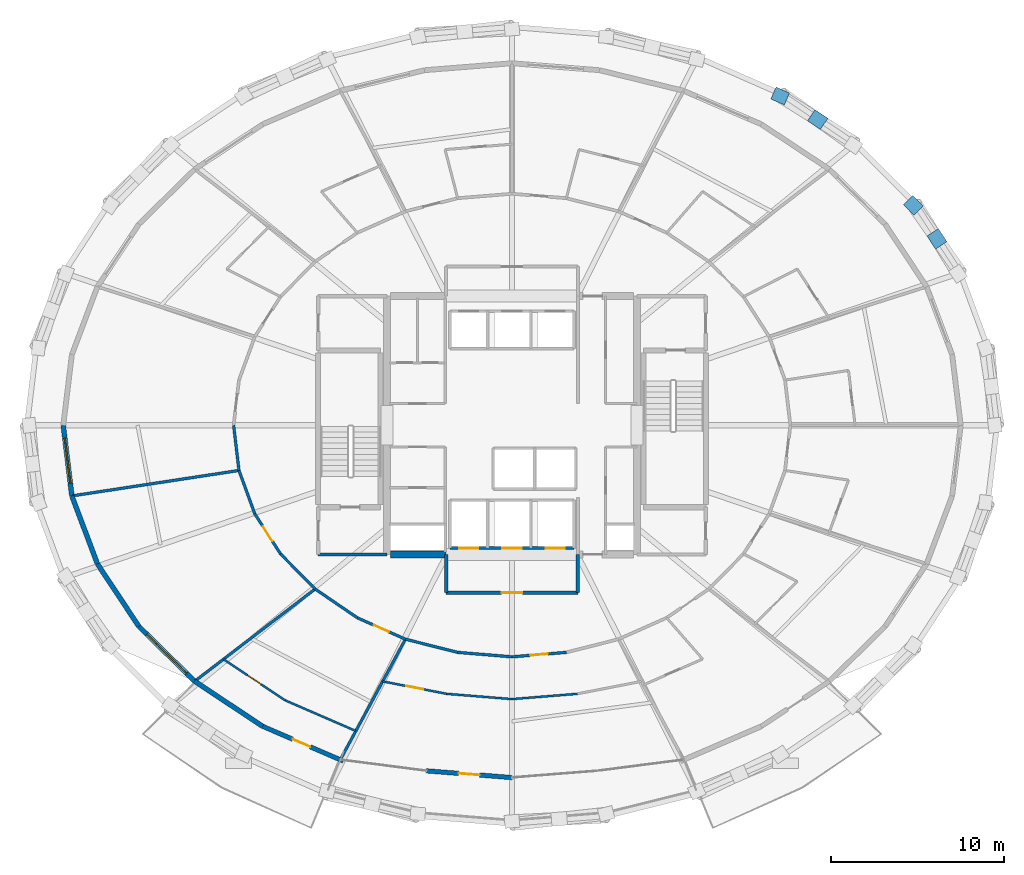
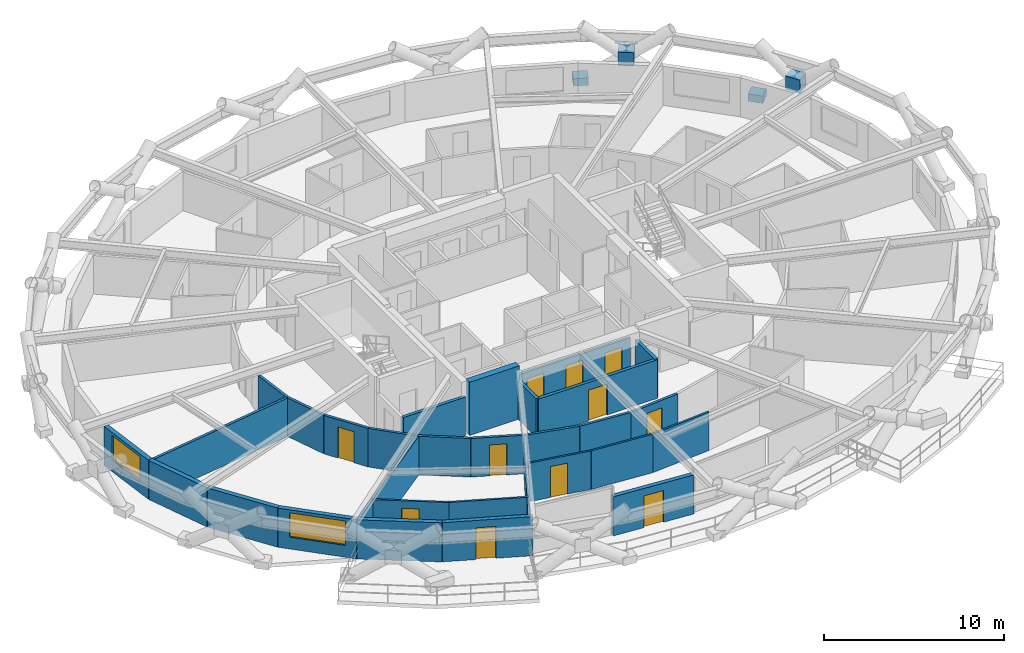
# One storey, part 7 of 13: 30 walls, 11 doors, 4 plates, 2 windows, 13 openings.
"""IFC4 building model written with IfcOpenShell, lengths in metres."""

from ifc_helpers import new_model, si_unit, direction, frame, frame_2d, origin, origin_2d, place, context, subcontext, project, spatial, rectangle, extrude, material, layer, layer_set, type_object, element, fill, save


model = new_model("IFC4")

# Units and contexts
model_context = context("Model", 3, precision=1e-05, world=origin(), true_north=direction((0.0, 1.0)))
body_context = subcontext(model_context, "Body", "Model", "MODEL_VIEW")
ifc_project = project(units=[si_unit("LENGTHUNIT", "METRE"), si_unit("AREAUNIT", "SQUARE_METRE"), si_unit("VOLUMEUNIT", "CUBIC_METRE"), si_unit("PLANEANGLEUNIT", "RADIAN"), si_unit("MASSUNIT", "GRAM", prefix="KILO")], contexts=[model_context])

# Site, building, storey
site_placement = place(None, origin())
site = spatial("IfcSite", under=ifc_project, at=site_placement, CompositionType="ELEMENT")
building_placement = place(site_placement, origin())
building = spatial("IfcBuilding", under=site, at=building_placement, Name="Veldorina Hangang Commons", CompositionType="ELEMENT")
storey_placement = place(building_placement, frame((0.0, 0.0, 37.60009765625)))
storey = spatial("IfcBuildingStorey", under=building, at=storey_placement, Name="L08", CompositionType="ELEMENT", Elevation=37.60009765625)

# Plates
ifc_material_1 = material(Name="Steel SM460-TMC", Category="steel")
ifc_layer_1 = layer(ifc_material_1, 0.035888671875)
ifc_layer_set_1 = layer_set([ifc_layer_1], Name="Steel SM460-TMC")
plate_type = type_object("IfcPlateType", Name="PL-STAR-36", PredefinedType="USERDEFINED", material=ifc_layer_set_1)
plate_1_placement = place(storey_placement, frame((56.500244140625, 34.75, 1.343994140625), z_axis=(0.0, 0.0, 1.0), x_axis=(-0.545897251417, 0.837852129493, 0.0)))
element("IfcPlate", 1, at=plate_1_placement, inside=storey, type_object=plate_type, Name="L08 diagrid X-crossing star-node gusset plate 02", ObjectType="GUSSET PLATE", PredefinedType="USERDEFINED", context=body_context, shape_type="SweptSolid", body=[
    extrude(rectangle(XDim=0.89990234375, YDim=0.780029296875, at=origin_2d()), origin(), (0.0, 0.0, 1.0), 0.89990234375),
])
plate_2_placement = place(storey_placement, frame((55.14306640625, 36.685791015625, -0.090087890625), z_axis=(0.0, 0.0, 1.0), x_axis=(-0.707254861775, 0.706958669581, 0.0)))
element("IfcPlate", 2, at=plate_2_placement, inside=storey, type_object=plate_type, Name="L08 diagrid star-node gusset plate 03", ObjectType="GUSSET PLATE", PredefinedType="USERDEFINED", context=body_context, shape_type="SweptSolid", body=[
    extrude(rectangle(XDim=0.85009765625, YDim=0.75, at=origin_2d()), origin(), (0.0, 0.0, 1.0), 0.5),
])
plate_3_placement = place(storey_placement, frame((49.623779296875, 41.62841796875, 1.34423828125), z_axis=(0.0, 0.0, 1.0), x_axis=(-0.829525244685, 0.558469218875, 0.0)))
element("IfcPlate", 3, at=plate_3_placement, inside=storey, type_object=plate_type, Name="L08 diagrid X-crossing star-node gusset plate 04", ObjectType="GUSSET PLATE", PredefinedType="USERDEFINED", context=body_context, shape_type="SweptSolid", body=[
    extrude(rectangle(XDim=0.89990234375, YDim=0.780029296875, at=origin_2d()), origin(), (0.0, 0.0, 1.0), 0.89990234375),
])
plate_4_placement = place(storey_placement, frame((47.463623046875, 42.985595703125, -0.090087890625), z_axis=(0.0, 0.0, 1.0), x_axis=(-0.915823871738, 0.401580173757, 0.0)))
element("IfcPlate", 4, at=plate_4_placement, inside=storey, type_object=plate_type, Name="L08 diagrid star-node gusset plate 05", ObjectType="GUSSET PLATE", PredefinedType="USERDEFINED", context=body_context, shape_type="SweptSolid", body=[
    extrude(rectangle(XDim=0.85009765625, YDim=0.75, at=origin_2d()), origin(), (0.0, 0.0, 1.0), 0.5),
])

# Wall
ifc_material_2 = material(Name="Concrete C70/85", Category="concrete")
ifc_layer_2 = layer(ifc_material_2, 0.39990234375)
ifc_layer_set_2 = layer_set([ifc_layer_2], Name="Concrete C70/85")
wall_type_1 = type_object("IfcWallType", Name="CW-RC400-C70", PredefinedType="SHEAR", material=ifc_layer_set_2)
wall_1_placement = place(storey_placement, frame((25.0, 16.550048828125, 0.0), z_axis=(0.0, 0.0, 1.0), x_axis=(1.0, 0.0, 0.0)))
element("IfcWall", 5, at=wall_1_placement, inside=storey, type_object=wall_type_1, Name="L08 south-west core shear wall", PredefinedType="SHEAR", context=body_context, shape_type="SweptSolid", body=[
    extrude(rectangle(XDim=3.199951171875, YDim=0.39990234375, at=frame_2d((1.60009765625, 0.0))), origin(), (0.0, 0.0, 1.0), 3.599853515625),
])

# Wall, opening, door
ifc_material_3 = material(Name="Stone Roman Travertine", Category="masonry")
ifc_layer_3 = layer(ifc_material_3, 0.260009765625)
ifc_layer_set_3 = layer_set([ifc_layer_3], Name="Stone Roman Travertine")
wall_type_2 = type_object("IfcWallType", Name="EW-LOGGIA-260", PredefinedType="STANDARD", material=ifc_layer_set_3)
wall_2_placement = place(storey_placement, frame((17.625244140625, 6.64404296875, 0.0), z_axis=(0.0, 0.0, 1.0), x_axis=(0.91826758141, -0.395960413339, 0.0)))
wall_2 = element("IfcWall", 6, at=wall_2_placement, inside=storey, type_object=wall_type_2, Name="L08 sky-garden loggia portal wall 21", PredefinedType="STANDARD", context=body_context, shape_type="SweptSolid", body=[
    extrude(rectangle(XDim=5.064453125, YDim=0.260009765625, at=frame_2d((2.5322265625, 0.0))), origin(), (0.0, 0.0, 1.0), 2.64990234375),
])
opening_1_placement = place(wall_2_placement, frame((1.8857421875, 0.0, 0.0)))
opening_1 = element("IfcOpeningElement", 7, at=opening_1_placement, cuts=wall_2, Name="Opening BD-1100", PredefinedType="OPENING", context=body_context, shape_type="SweptSolid", body=[
    extrude(rectangle(XDim=1.10009765625, YDim=2.14990234375, at=frame_2d((0.550048828125, 1.074951171875))), frame((0.0, 0.14013671875, 0.0), z_axis=(0.0, -1.0, 0.0), x_axis=(1.0, 0.0, 0.0)), (0.0, 0.0, 1.0), 0.280029296875),
])
ifc_material_4 = material(Name="Glass Thermal Aluminium Frame", Category="aluminium")
door_type_1 = type_object("IfcDoorType", Name="DR-EXT-BAL1100", OperationType="SINGLE_SWING_RIGHT", PredefinedType="DOOR", material=ifc_material_4)
door_1_placement = place(opening_1_placement, origin())
door_1 = element("IfcDoor", 8, at=door_1_placement, inside=storey, type_object=door_type_1, Name="L08 tree balcony glazed exterior door 21", OperationType="SINGLE_SWING_RIGHT", OverallHeight=2.14990234375, OverallWidth=1.10009765625, PredefinedType="DOOR", context=body_context, shape_type="SweptSolid", body=[
    extrude(rectangle(XDim=1.10009765625, YDim=2.14990234375, at=frame_2d((0.550048828125, 1.074951171875))), frame((0.0, 0.02490234375, 0.0), z_axis=(0.0, -1.0, 0.0), x_axis=(1.0, 0.0, 0.0)), (0.0, 0.0, 1.0), 0.050048828125),
])
fill(opening_1, door_1)

wall_3_placement = place(storey_placement, frame((27.0615234375, 4.076416015625, 0.0), z_axis=(0.0, 0.0, 1.0), x_axis=(0.996894077158, -0.078754040701, 0.0)))
wall_3 = element("IfcWall", 9, at=wall_3_placement, inside=storey, type_object=wall_type_2, Name="L08 sky-garden loggia portal wall 23", PredefinedType="STANDARD", context=body_context, shape_type="SweptSolid", body=[
    extrude(rectangle(XDim=4.953857421875, YDim=0.260009765625, at=frame_2d((2.47705078125, 0.0))), origin(), (0.0, 0.0, 1.0), 2.64990234375),
])
opening_2_placement = place(wall_3_placement, frame((1.876953125, 0.0, 0.0)))
opening_2 = element("IfcOpeningElement", 10, at=opening_2_placement, cuts=wall_3, Name="Opening BD-1200", PredefinedType="OPENING", context=body_context, shape_type="SweptSolid", body=[
    extrude(rectangle(XDim=1.199951171875, YDim=2.14990234375, at=frame_2d((0.60009765625, 1.074951171875))), frame((0.0, 0.14013671875, 0.0), z_axis=(0.0, -1.0, 0.0), x_axis=(1.0, 0.0, 0.0)), (0.0, 0.0, 1.0), 0.280029296875),
])
door_type_2 = type_object("IfcDoorType", Name="DR-EXT-LOG1200", OperationType="SINGLE_SWING_LEFT", PredefinedType="DOOR", material=ifc_material_4)
door_2_placement = place(opening_2_placement, origin())
door_2 = element("IfcDoor", 11, at=door_2_placement, inside=storey, type_object=door_type_2, Name="L08 loggia glazed exterior door 23", OperationType="SINGLE_SWING_RIGHT", OverallHeight=2.14990234375, OverallWidth=1.199951171875, PredefinedType="DOOR", context=body_context, shape_type="SweptSolid", body=[
    extrude(rectangle(XDim=1.199951171875, YDim=2.14990234375, at=frame_2d((0.60009765625, 1.074951171875))), frame((0.0, 0.02490234375, 0.0), z_axis=(0.0, -1.0, 0.0), x_axis=(1.0, 0.0, 0.0)), (0.0, 0.0, 1.0), 0.050048828125),
])
fill(opening_2, door_2)

# Wall, opening, window
ifc_layer_4 = layer(ifc_material_3, 0.280029296875)
ifc_layer_set_4 = layer_set([ifc_layer_4], Name="Stone Roman Travertine")
wall_type_3 = type_object("IfcWallType", Name="EW-TRAV-280", PredefinedType="STANDARD", material=ifc_layer_set_4)
wall_4_placement = place(storey_placement, frame((6.126220703125, 24.0, 0.0), z_axis=(0.0, 0.0, 1.0), x_axis=(0.121163069923, -0.99263261607, 0.0)))
wall_4 = element("IfcWall", 12, at=wall_4_placement, inside=storey, type_object=wall_type_3, Name="L08 travertine facade wall 16", PredefinedType="STANDARD", context=body_context, shape_type="SweptSolid", body=[
    extrude(rectangle(XDim=4.1025390625, YDim=0.280029296875, at=frame_2d((2.05126953125, 0.0))), origin(), (0.0, 0.0, 1.0), 2.64990234375),
])
opening_3_placement = place(wall_4_placement, frame((0.751220703125, 0.0, 0.800048828125)))
opening_3 = element("IfcOpeningElement", 13, at=opening_3_placement, cuts=wall_4, Name="Opening W-02", PredefinedType="OPENING", context=body_context, shape_type="SweptSolid", body=[
    extrude(rectangle(XDim=2.60009765625, YDim=1.64990234375, at=frame_2d((1.300048828125, 0.824951171875))), frame((0.0, 0.14990234375, 0.0), z_axis=(0.0, -1.0, 0.0), x_axis=(1.0, 0.0, 0.0)), (0.0, 0.0, 1.0), 0.300048828125),
])
ifc_material_5 = material(Name="Glass Low-E Triple IGU", Category="glass")
window_type_1 = type_object("IfcWindowType", Name="WIN-TWR-2600", PartitioningType="SINGLE_PANEL", PredefinedType="WINDOW", material=ifc_material_5)
window_1_placement = place(opening_3_placement, origin())
window_1 = element("IfcWindow", 14, at=window_1_placement, inside=storey, type_object=window_type_1, Name="L08 facade window 16", OverallHeight=1.64990234375, OverallWidth=2.60009765625, PartitioningType="SINGLE_PANEL", PredefinedType="WINDOW", context=body_context, shape_type="SweptSolid", body=[
    extrude(rectangle(XDim=2.60009765625, YDim=1.64990234375, at=frame_2d((1.300048828125, 0.824951171875))), frame((0.0, 0.030029296875, 0.0), z_axis=(0.0, -1.0, 0.0), x_axis=(1.0, 0.0, 0.0)), (0.0, 0.0, 1.0), 0.06005859375),
])
fill(opening_3, window_1)

# Walls
wall_5_placement = place(storey_placement, frame((6.623291015625, 19.927734375, 0.0), z_axis=(0.0, 0.0, 1.0), x_axis=(0.351961107614, -0.936014625274, 0.0)))
element("IfcWall", 15, at=wall_5_placement, inside=storey, type_object=wall_type_3, Name="L08 travertine facade wall 17", PredefinedType="STANDARD", context=body_context, shape_type="SweptSolid", body=[
    extrude(rectangle(XDim=4.183349609375, YDim=0.280029296875, at=frame_2d((2.091796875, 0.0))), origin(), (0.0, 0.0, 1.0), 2.64990234375),
])
wall_6_placement = place(storey_placement, frame((8.095703125, 16.011962890625, 0.0), z_axis=(0.0, 0.0, 1.0), x_axis=(0.552329372668, -0.833625973737, 0.0)))
element("IfcWall", 16, at=wall_6_placement, inside=storey, type_object=wall_type_3, Name="L08 travertine facade wall 18", PredefinedType="STANDARD", context=body_context, shape_type="SweptSolid", body=[
    extrude(rectangle(XDim=4.3291015625, YDim=0.280029296875, at=frame_2d((2.16455078125, 0.0))), origin(), (0.0, 0.0, 1.0), 2.64990234375),
])

# Wall, opening, window
wall_7_placement = place(storey_placement, frame((10.48681640625, 12.403076171875, 0.0), z_axis=(0.0, 0.0, 1.0), x_axis=(0.713140886871, -0.701020738262, 0.0)))
wall_7 = element("IfcWall", 17, at=wall_7_placement, inside=storey, type_object=wall_type_3, Name="L08 travertine facade wall 19", PredefinedType="STANDARD", context=body_context, shape_type="SweptSolid", body=[
    extrude(rectangle(XDim=4.51220703125, YDim=0.280029296875, at=frame_2d((2.256103515625, 0.0))), origin(), (0.0, 0.0, 1.0), 2.64990234375),
])
opening_4_placement = place(wall_7_placement, frame((0.656005859375, 0.0, 0.800048828125)))
opening_4 = element("IfcOpeningElement", 18, at=opening_4_placement, cuts=wall_7, Name="Opening W-01", PredefinedType="OPENING", context=body_context, shape_type="SweptSolid", body=[
    extrude(rectangle(XDim=3.199951171875, YDim=1.64990234375, at=frame_2d((1.60009765625, 0.824951171875))), frame((0.0, 0.14990234375, 0.0), z_axis=(0.0, -1.0, 0.0), x_axis=(1.0, 0.0, 0.0)), (0.0, 0.0, 1.0), 0.300048828125),
])
window_type_2 = type_object("IfcWindowType", Name="WIN-TWR-3200", PartitioningType="SINGLE_PANEL", PredefinedType="WINDOW", material=ifc_material_5)
window_2_placement = place(opening_4_placement, origin())
window_2 = element("IfcWindow", 19, at=window_2_placement, inside=storey, type_object=window_type_2, Name="L08 facade window 19", OverallHeight=1.64990234375, OverallWidth=3.199951171875, PartitioningType="SINGLE_PANEL", PredefinedType="WINDOW", context=body_context, shape_type="SweptSolid", body=[
    extrude(rectangle(XDim=3.199951171875, YDim=1.64990234375, at=frame_2d((1.60009765625, 0.824951171875))), frame((0.0, 0.030029296875, 0.0), z_axis=(0.0, -1.0, 0.0), x_axis=(1.0, 0.0, 0.0)), (0.0, 0.0, 1.0), 0.06005859375),
])
fill(opening_4, window_2)

# Wall
wall_8_placement = place(storey_placement, frame((13.70458984375, 9.239990234375, 0.0), z_axis=(0.0, 0.0, 1.0), x_axis=(0.833795486972, -0.552073442492, 0.0)))
element("IfcWall", 20, at=wall_8_placement, inside=storey, type_object=wall_type_3, Name="L08 travertine facade wall 20", PredefinedType="STANDARD", context=body_context, shape_type="SweptSolid", body=[
    extrude(rectangle(XDim=4.7021484375, YDim=0.280029296875, at=frame_2d((2.35107421875, 0.0))), origin(), (0.0, 0.0, 1.0), 2.64990234375),
])

# Wall, openings, doors
ifc_material_6 = material(Name="Gypsum Fire-Rated Twin Stud Wall", Category="gypsum")
ifc_layer_5 = layer(ifc_material_6, 0.159912109375)
ifc_layer_set_5 = layer_set([ifc_layer_5], Name="Gypsum Fire-Rated Twin Stud Wall")
wall_type_4 = type_object("IfcWallType", Name="WL-FIRE-160", PredefinedType="SOLIDWALL", material=ifc_layer_set_5)
wall_9_placement = place(storey_placement, frame((28.419921875, 16.919921875, 0.0), z_axis=(0.0, 0.0, 1.0), x_axis=(1.0, 0.0, 0.0)))
wall_9 = element("IfcWall", 21, at=wall_9_placement, inside=storey, type_object=wall_type_4, Name="L08 Emergency front shaft wall 026", PredefinedType="SOLIDWALL", context=body_context, shape_type="SweptSolid", body=[
    extrude(rectangle(XDim=7.16015625, YDim=0.159912109375, at=frame_2d((3.580078125, 0.0))), origin(), (0.0, 0.0, 1.0), 2.60986328125),
])
opening_5_placement = place(wall_9_placement, frame((0.530029296875, 0.0, 0.0)))
opening_5 = element("IfcOpeningElement", 22, at=opening_5_placement, cuts=wall_9, Name="Opening LD-03", PredefinedType="OPENING", context=body_context, shape_type="SweptSolid", body=[
    extrude(rectangle(XDim=1.10009765625, YDim=2.14990234375, at=frame_2d((0.550048828125, 1.074951171875))), frame((0.0, 0.08984375, 0.0), z_axis=(0.0, -1.0, 0.0), x_axis=(1.0, 0.0, 0.0)), (0.0, 0.0, 1.0), 0.179931640625),
])
opening_6_placement = place(wall_9_placement, frame((3.030029296875, 0.0, 0.0)))
opening_6 = element("IfcOpeningElement", 23, at=opening_6_placement, cuts=wall_9, Name="Opening LD-03", PredefinedType="OPENING", context=body_context, shape_type="SweptSolid", body=[
    extrude(rectangle(XDim=1.10009765625, YDim=2.14990234375, at=frame_2d((0.550048828125, 1.074951171875))), frame((0.0, 0.08984375, 0.0), z_axis=(0.0, -1.0, 0.0), x_axis=(1.0, 0.0, 0.0)), (0.0, 0.0, 1.0), 0.179931640625),
])
opening_7_placement = place(wall_9_placement, frame((5.530029296875, 0.0, 0.0)))
opening_7 = element("IfcOpeningElement", 24, at=opening_7_placement, cuts=wall_9, Name="Opening LD-03", PredefinedType="OPENING", context=body_context, shape_type="SweptSolid", body=[
    extrude(rectangle(XDim=1.10009765625, YDim=2.14990234375, at=frame_2d((0.550048828125, 1.074951171875))), frame((0.0, 0.08984375, 0.0), z_axis=(0.0, -1.0, 0.0), x_axis=(1.0, 0.0, 0.0)), (0.0, 0.0, 1.0), 0.179931640625),
])
ifc_material_7 = material(Name="Stainless Steel Firefighting Lift Door", Category="steel")
door_type_3 = type_object("IfcDoorType", Name="DR-LIFT-FF1100", OperationType="SLIDING_TO_RIGHT", PredefinedType="DOOR", material=ifc_material_7)
door_3_placement = place(opening_5_placement, origin())
door_3 = element("IfcDoor", 25, at=door_3_placement, inside=storey, type_object=door_type_3, Name="L08 Emergency lift FFL-1 landing door 009", OperationType="SLIDING_TO_RIGHT", OverallHeight=2.14990234375, OverallWidth=1.10009765625, PredefinedType="DOOR", context=body_context, shape_type="SweptSolid", body=[
    extrude(rectangle(XDim=1.10009765625, YDim=2.14990234375, at=frame_2d((0.550048828125, 1.074951171875))), frame((0.0, 0.02490234375, 0.0), z_axis=(0.0, -1.0, 0.0), x_axis=(1.0, 0.0, 0.0)), (0.0, 0.0, 1.0), 0.050048828125),
])
fill(opening_5, door_3)
door_4_placement = place(opening_6_placement, origin())
door_4 = element("IfcDoor", 26, at=door_4_placement, inside=storey, type_object=door_type_3, Name="L08 Emergency lift FFL-2 landing door 010", OperationType="SLIDING_TO_RIGHT", OverallHeight=2.14990234375, OverallWidth=1.10009765625, PredefinedType="DOOR", context=body_context, shape_type="SweptSolid", body=[
    extrude(rectangle(XDim=1.10009765625, YDim=2.14990234375, at=frame_2d((0.550048828125, 1.074951171875))), frame((0.0, 0.02490234375, 0.0), z_axis=(0.0, -1.0, 0.0), x_axis=(1.0, 0.0, 0.0)), (0.0, 0.0, 1.0), 0.050048828125),
])
fill(opening_6, door_4)
door_5_placement = place(opening_7_placement, origin())
door_5 = element("IfcDoor", 27, at=door_5_placement, inside=storey, type_object=door_type_3, Name="L08 Emergency lift EVL-1 landing door 011", OperationType="SLIDING_TO_RIGHT", OverallHeight=2.14990234375, OverallWidth=1.10009765625, PredefinedType="DOOR", context=body_context, shape_type="SweptSolid", body=[
    extrude(rectangle(XDim=1.10009765625, YDim=2.14990234375, at=frame_2d((0.550048828125, 1.074951171875))), frame((0.0, 0.02490234375, 0.0), z_axis=(0.0, -1.0, 0.0), x_axis=(1.0, 0.0, 0.0)), (0.0, 0.0, 1.0), 0.050048828125),
])
fill(opening_7, door_5)

# Walls
wall_10_placement = place(storey_placement, frame((15.949951171875, 24.0, 0.0), z_axis=(0.0, 0.0, 1.0), x_axis=(0.117570353762, -0.993064555765, 0.0)))
element("IfcWall", 28, at=wall_10_placement, inside=storey, type_object=wall_type_4, Name="L08 Corridor outer wall 16 064", PredefinedType="SOLIDWALL", context=body_context, shape_type="SweptSolid", body=[
    extrude(rectangle(XDim=2.622802734375, YDim=0.159912109375, at=frame_2d((1.3115234375, 0.0))), origin(), (0.0, 0.0, 1.0), 2.60986328125),
])
wall_11_placement = place(storey_placement, frame((16.25830078125, 21.3955078125, 0.0), z_axis=(0.0, 0.0, 1.0), x_axis=(0.342617982381, -0.939474809747, 0.0)))
element("IfcWall", 29, at=wall_11_placement, inside=storey, type_object=wall_type_4, Name="L08 Corridor outer wall 17 065", PredefinedType="SOLIDWALL", context=body_context, shape_type="SweptSolid", body=[
    extrude(rectangle(XDim=2.665771484375, YDim=0.159912109375, at=frame_2d((1.3330078125, 0.0))), origin(), (0.0, 0.0, 1.0), 2.60986328125),
])

# Wall, opening, door
wall_12_placement = place(storey_placement, frame((17.171630859375, 18.89111328125, 0.0), z_axis=(0.0, 0.0, 1.0), x_axis=(0.540595670038, -0.841282545603, 0.0)))
wall_12 = element("IfcWall", 30, at=wall_12_placement, inside=storey, type_object=wall_type_4, Name="L08 Corridor outer wall 18 066", PredefinedType="SOLIDWALL", context=body_context, shape_type="SweptSolid", body=[
    extrude(rectangle(XDim=2.74365234375, YDim=0.159912109375, at=frame_2d((1.371826171875, 0.0))), origin(), (0.0, 0.0, 1.0), 2.60986328125),
])
opening_8_placement = place(wall_12_placement, frame((0.871826171875, 0.0, 0.0)))
opening_8 = element("IfcOpeningElement", 31, at=opening_8_placement, cuts=wall_12, Name="Opening D-05", PredefinedType="OPENING", context=body_context, shape_type="SweptSolid", body=[
    extrude(rectangle(XDim=1.0, YDim=2.10009765625, at=frame_2d((0.5, 1.050048828125))), frame((0.0, 0.08984375, 0.0), z_axis=(0.0, -1.0, 0.0), x_axis=(1.0, 0.0, 0.0)), (0.0, 0.0, 1.0), 0.179931640625),
])
ifc_material_8 = material(Name="Timber Solid Core Acoustic", Category="wood")
door_type_4 = type_object("IfcDoorType", Name="DR-INT-1000", OperationType="SINGLE_SWING_RIGHT", PredefinedType="DOOR", material=ifc_material_8)
door_6_placement = place(opening_8_placement, origin())
door_6 = element("IfcDoor", 32, at=door_6_placement, inside=storey, type_object=door_type_4, Name="L08 Seminar Focus Room 13 door 043", OperationType="SINGLE_SWING_LEFT", OverallHeight=2.10009765625, OverallWidth=1.0, PredefinedType="DOOR", context=body_context, shape_type="SweptSolid", body=[
    extrude(rectangle(XDim=1.0, YDim=2.10009765625, at=frame_2d((0.5, 1.050048828125))), frame((0.0, 0.02490234375, 0.0), z_axis=(0.0, -1.0, 0.0), x_axis=(1.0, 0.0, 0.0)), (0.0, 0.0, 1.0), 0.050048828125),
])
fill(opening_8, door_6)

# Walls
wall_13_placement = place(storey_placement, frame((18.65478515625, 16.5830078125, 0.0), z_axis=(0.0, 0.0, 1.0), x_axis=(0.702366174226, -0.711815816981, 0.0)))
element("IfcWall", 33, at=wall_13_placement, inside=storey, type_object=wall_type_4, Name="L08 Corridor outer wall 19 067", PredefinedType="SOLIDWALL", context=body_context, shape_type="SweptSolid", body=[
    extrude(rectangle(XDim=2.842041015625, YDim=0.159912109375, at=frame_2d((1.4208984375, 0.0))), origin(), (0.0, 0.0, 1.0), 2.60986328125),
])
wall_14_placement = place(storey_placement, frame((20.65087890625, 14.56005859375, 0.0), z_axis=(0.0, 0.0, 1.0), x_axis=(0.825929039072, -0.563774088104, 0.0)))
element("IfcWall", 34, at=wall_14_placement, inside=storey, type_object=wall_type_4, Name="L08 Corridor outer wall 20 068", PredefinedType="SOLIDWALL", context=body_context, shape_type="SweptSolid", body=[
    extrude(rectangle(XDim=2.94482421875, YDim=0.159912109375, at=frame_2d((1.472412109375, 0.0))), origin(), (0.0, 0.0, 1.0), 2.60986328125),
])

# Wall, opening, door
wall_15_placement = place(storey_placement, frame((23.0830078125, 12.89990234375, 0.0), z_axis=(0.0, 0.0, 1.0), x_axis=(0.913768445178, -0.406235434936, 0.0)))
wall_15 = element("IfcWall", 35, at=wall_15_placement, inside=storey, type_object=wall_type_4, Name="L08 Corridor outer wall 21 069", PredefinedType="SOLIDWALL", context=body_context, shape_type="SweptSolid", body=[
    extrude(rectangle(XDim=3.036865234375, YDim=0.159912109375, at=frame_2d((1.5185546875, 0.0))), origin(), (0.0, 0.0, 1.0), 2.60986328125),
])
opening_9_placement = place(wall_15_placement, frame((1.04345703125, 0.0, 0.0)))
opening_9 = element("IfcOpeningElement", 36, at=opening_9_placement, cuts=wall_15, Name="Opening D-02", PredefinedType="OPENING", context=body_context, shape_type="SweptSolid", body=[
    extrude(rectangle(XDim=0.949951171875, YDim=2.10009765625, at=frame_2d((0.47509765625, 1.050048828125))), frame((0.0, 0.08984375, 0.0), z_axis=(0.0, -1.0, 0.0), x_axis=(1.0, 0.0, 0.0)), (0.0, 0.0, 1.0), 0.179931640625),
])
door_type_5 = type_object("IfcDoorType", Name="DR-INT-950", OperationType="SINGLE_SWING_LEFT", PredefinedType="DOOR", material=ifc_material_8)
door_7_placement = place(opening_9_placement, origin())
door_7 = element("IfcDoor", 37, at=door_7_placement, inside=storey, type_object=door_type_5, Name="L08 Linen drying store door 044", OperationType="SINGLE_SWING_RIGHT", OverallHeight=2.10009765625, OverallWidth=0.949951171875, PredefinedType="DOOR", context=body_context, shape_type="SweptSolid", body=[
    extrude(rectangle(XDim=0.949951171875, YDim=2.10009765625, at=frame_2d((0.47509765625, 1.050048828125))), frame((0.0, 0.02490234375, 0.0), z_axis=(0.0, -1.0, 0.0), x_axis=(1.0, 0.0, 0.0)), (0.0, 0.0, 1.0), 0.050048828125),
])
fill(opening_9, door_7)

# Walls
wall_16_placement = place(storey_placement, frame((25.85791015625, 11.666259765625, 0.0), z_axis=(0.0, 0.0, 1.0), x_axis=(0.969608333194, -0.244662380029, 0.0)))
element("IfcWall", 38, at=wall_16_placement, inside=storey, type_object=wall_type_4, Name="L08 Corridor outer wall 22 070", PredefinedType="SOLIDWALL", context=body_context, shape_type="SweptSolid", body=[
    extrude(rectangle(XDim=3.10546875, YDim=0.159912109375, at=frame_2d((1.552734375, 0.0))), origin(), (0.0, 0.0, 1.0), 2.60986328125),
])
wall_17_placement = place(storey_placement, frame((28.868896484375, 10.906494140625, 0.0), z_axis=(0.0, 0.0, 1.0), x_axis=(0.996658973252, -0.081675522876, 0.0)))
element("IfcWall", 39, at=wall_17_placement, inside=storey, type_object=wall_type_4, Name="L08 Corridor outer wall 23 071", PredefinedType="SOLIDWALL", context=body_context, shape_type="SweptSolid", body=[
    extrude(rectangle(XDim=3.1416015625, YDim=0.159912109375, at=frame_2d((1.57080078125, 0.0))), origin(), (0.0, 0.0, 1.0), 2.60986328125),
])

# Wall, opening, door
wall_18_placement = place(storey_placement, frame((32.0, 10.64990234375, 0.0), z_axis=(0.0, 0.0, 1.0), x_axis=(0.996658973252, 0.081675522876, 0.0)))
wall_18 = element("IfcWall", 40, at=wall_18_placement, inside=storey, type_object=wall_type_4, Name="L08 Corridor outer wall 24 072", PredefinedType="SOLIDWALL", context=body_context, shape_type="SweptSolid", body=[
    extrude(rectangle(XDim=3.1416015625, YDim=0.159912109375, at=frame_2d((1.57080078125, 0.0))), origin(), (0.0, 0.0, 1.0), 2.60986328125),
])
opening_10_placement = place(wall_18_placement, frame((1.07080078125, 0.0, 0.0)))
opening_10 = element("IfcOpeningElement", 41, at=opening_10_placement, cuts=wall_18, Name="Opening D-05", PredefinedType="OPENING", context=body_context, shape_type="SweptSolid", body=[
    extrude(rectangle(XDim=1.0, YDim=2.10009765625, at=frame_2d((0.5, 1.050048828125))), frame((0.0, 0.08984375, 0.0), z_axis=(0.0, -1.0, 0.0), x_axis=(1.0, 0.0, 0.0)), (0.0, 0.0, 1.0), 0.179931640625),
])
door_8_placement = place(opening_10_placement, origin())
door_8 = element("IfcDoor", 42, at=door_8_placement, inside=storey, type_object=door_type_4, Name="L08 Commons alcove door 020", OperationType="SINGLE_SWING_RIGHT", OverallHeight=2.10009765625, OverallWidth=1.0, PredefinedType="DOOR", context=body_context, shape_type="SweptSolid", body=[
    extrude(rectangle(XDim=1.0, YDim=2.10009765625, at=frame_2d((0.5, 1.050048828125))), frame((0.0, 0.02490234375, 0.0), z_axis=(0.0, -1.0, 0.0), x_axis=(1.0, 0.0, 0.0)), (0.0, 0.0, 1.0), 0.050048828125),
])
fill(opening_10, door_8)

# Walls
wall_19_placement = place(storey_placement, frame((25.85791015625, 11.666259765625, 0.0), z_axis=(0.0, 0.0, 1.0), x_axis=(-0.475710154332, -0.879602097011, 0.0)))
element("IfcWall", 43, at=wall_19_placement, inside=storey, type_object=wall_type_4, Name="L08 Unit party wall 22 080", PredefinedType="SOLIDWALL", context=body_context, shape_type="SweptSolid", body=[
    extrude(rectangle(XDim=7.852783203125, YDim=0.159912109375, at=frame_2d((3.92626953125, 0.0))), origin(), (0.0, 0.0, 1.0), 2.60986328125),
])
wall_20_placement = place(storey_placement, frame((16.25830078125, 21.3955078125, 0.0), z_axis=(0.0, 0.0, 1.0), x_axis=(-0.988595052818, -0.150598212289, 0.0)))
element("IfcWall", 44, at=wall_20_placement, inside=storey, type_object=wall_type_4, Name="L08 Unit party wall 17 116", PredefinedType="SOLIDWALL", context=body_context, shape_type="SweptSolid", body=[
    extrude(rectangle(XDim=9.696044921875, YDim=0.159912109375, at=frame_2d((4.84814453125, 0.0))), origin(), (0.0, 0.0, 1.0), 2.60986328125),
])
wall_21_placement = place(storey_placement, frame((20.65087890625, 14.56005859375, 0.0), z_axis=(0.0, 0.0, 1.0), x_axis=(-0.793917921688, -0.608024944902, 0.0)))
element("IfcWall", 45, at=wall_21_placement, inside=storey, type_object=wall_type_4, Name="L08 Unit party wall 20 117", PredefinedType="SOLIDWALL", context=body_context, shape_type="SweptSolid", body=[
    extrude(rectangle(XDim=8.699462890625, YDim=0.159912109375, at=frame_2d((4.349609375, 0.0))), origin(), (0.0, 0.0, 1.0), 2.60986328125),
])
ifc_material_9 = material(Name="Concrete Blockwork Fire Wall C30/37", Category="masonry")
ifc_layer_6 = layer(ifc_material_9, 0.199951171875)
ifc_layer_set_6 = layer_set([ifc_layer_6], Name="Concrete Blockwork Fire Wall C30/37")
wall_type_5 = type_object("IfcWallType", Name="WL-FIRE-200", PredefinedType="SOLIDWALL", material=ifc_layer_set_6)
wall_22_placement = place(storey_placement, frame((20.820068359375, 16.550048828125, 0.0), z_axis=(0.0, 0.0, 1.0), x_axis=(1.0, 0.0, 0.0)))
element("IfcWall", 46, at=wall_22_placement, inside=storey, type_object=wall_type_5, Name="L08 West vestibule south wall 002", PredefinedType="SOLIDWALL", context=body_context, shape_type="SweptSolid", body=[
    extrude(rectangle(XDim=3.97998046875, YDim=0.199951171875, at=frame_2d((1.989990234375, 0.0))), origin(), (0.0, 0.0, 1.0), 2.60986328125),
])
for number, where, z_axis, x_axis, name in (
    (47, (28.199951171875, 14.35009765625, 0.0), (0.0, 0.0, 1.0), (0.0, 1.0, 0.0), "L08 FF lobby west wall 012"),
    (48, (35.800048828125, 14.35009765625, 0.0), (0.0, 0.0, 1.0), (0.0, 1.0, 0.0), "L08 FF lobby east wall 013"),
):
    element("IfcWall", number, at=place(storey_placement, frame(where, z_axis=z_axis, x_axis=x_axis)), inside=storey, type_object=wall_type_5, Name=name, PredefinedType="SOLIDWALL", context=body_context, shape_type="SweptSolid", body=[
        extrude(rectangle(XDim=2.199951171875, YDim=0.199951171875, at=frame_2d((1.10009765625, 0.0))), origin(), (0.0, 0.0, 1.0), 2.60986328125),
    ])

# Wall, opening, door
wall_23_placement = place(storey_placement, frame((28.199951171875, 14.35009765625, 0.0), z_axis=(0.0, 0.0, 1.0), x_axis=(1.0, 0.0, 0.0)))
wall_23 = element("IfcWall", 49, at=wall_23_placement, inside=storey, type_object=wall_type_5, Name="L08 FF lobby south wall 014", PredefinedType="SOLIDWALL", context=body_context, shape_type="SweptSolid", body=[
    extrude(rectangle(XDim=7.60009765625, YDim=0.199951171875, at=frame_2d((3.800048828125, 0.0))), origin(), (0.0, 0.0, 1.0), 2.60986328125),
])
opening_11_placement = place(wall_23_placement, frame((3.199951171875, 0.0, 0.0)))
opening_11 = element("IfcOpeningElement", 50, at=opening_11_placement, cuts=wall_23, Name="Opening D-09", PredefinedType="OPENING", context=body_context, shape_type="SweptSolid", body=[
    extrude(rectangle(XDim=1.199951171875, YDim=2.10009765625, at=frame_2d((0.60009765625, 1.050048828125))), frame((0.0, 0.10986328125, 0.0), z_axis=(0.0, -1.0, 0.0), x_axis=(1.0, 0.0, 0.0)), (0.0, 0.0, 1.0), 0.219970703125),
])
ifc_material_10 = material(Name="Steel Fire-Rated Corridor Door", Category="steel")
door_type_6 = type_object("IfcDoorType", Name="DR-FIRE-1200", OperationType="SINGLE_SWING_LEFT", PredefinedType="DOOR", material=ifc_material_10)
door_9_placement = place(opening_11_placement, origin())
door_9 = element("IfcDoor", 51, at=door_9_placement, inside=storey, type_object=door_type_6, Name="L08 FF lobby south corridor door 005", OperationType="SINGLE_SWING_LEFT", OverallHeight=2.10009765625, OverallWidth=1.199951171875, PredefinedType="DOOR", context=body_context, shape_type="SweptSolid", body=[
    extrude(rectangle(XDim=1.199951171875, YDim=2.10009765625, at=frame_2d((0.60009765625, 1.050048828125))), frame((0.0, 0.02490234375, 0.0), z_axis=(0.0, -1.0, 0.0), x_axis=(1.0, 0.0, 0.0)), (0.0, 0.0, 1.0), 0.050048828125),
])
fill(opening_11, door_9)

ifc_material_11 = material(Name="Gypsum Acoustic Stud Partition", Category="gypsum")
ifc_layer_7 = layer(ifc_material_11, 0.1201171875)
ifc_layer_set_7 = layer_set([ifc_layer_7], Name="Gypsum Acoustic Stud Partition")
wall_type_6 = type_object("IfcWallType", Name="WL-PART-120", PredefinedType="PARTITIONING", material=ifc_layer_set_7)
wall_24_placement = place(storey_placement, frame((24.5419921875, 9.2333984375, 0.0), z_axis=(0.0, 0.0, 1.0), x_axis=(0.981665665995, -0.190610913138, 0.0)))
wall_24 = element("IfcWall", 52, at=wall_24_placement, inside=storey, type_object=wall_type_6, Name="L08 Lounge alcove split 0 081", PredefinedType="PARTITIONING", context=body_context, shape_type="SweptSolid", body=[
    extrude(rectangle(XDim=3.76318359375, YDim=0.1201171875, at=frame_2d((1.881591796875, 0.0))), origin(), (0.0, 0.0, 1.0), 2.60986328125),
])
opening_12_placement = place(wall_24_placement, frame((1.381591796875, 0.0, 0.0)))
opening_12 = element("IfcOpeningElement", 53, at=opening_12_placement, cuts=wall_24, Name="Opening D-05", PredefinedType="OPENING", context=body_context, shape_type="SweptSolid", body=[
    extrude(rectangle(XDim=1.0, YDim=2.10009765625, at=frame_2d((0.5, 1.050048828125))), frame((0.0, 0.070068359375, 0.0), z_axis=(0.0, -1.0, 0.0), x_axis=(1.0, 0.0, 0.0)), (0.0, 0.0, 1.0), 0.14013671875),
])
door_10_placement = place(opening_12_placement, origin())
door_10 = element("IfcDoor", 54, at=door_10_placement, inside=storey, type_object=door_type_4, Name="L08 Commons lounge door 021", OperationType="SINGLE_SWING_LEFT", OverallHeight=2.10009765625, OverallWidth=1.0, PredefinedType="DOOR", context=body_context, shape_type="SweptSolid", body=[
    extrude(rectangle(XDim=1.0, YDim=2.10009765625, at=frame_2d((0.5, 1.050048828125))), frame((0.0, 0.02490234375, 0.0), z_axis=(0.0, -1.0, 0.0), x_axis=(1.0, 0.0, 0.0)), (0.0, 0.0, 1.0), 0.050048828125),
])
fill(opening_12, door_10)

# Walls
for number, where, z_axis, x_axis, name in (
    (55, (28.236083984375, 8.51611328125, 0.0), (0.0, 0.0, 1.0), (0.996765542333, -0.08036450471, 0.0), "L08 Lounge alcove split 1 082"),
    (56, (32.0, 8.212646484375, 0.0), (0.0, 0.0, 1.0), (0.996765542333, 0.08036450471, 0.0), "L08 Lounge alcove split 2 083"),
):
    element("IfcWall", number, at=place(storey_placement, frame(where, z_axis=z_axis, x_axis=x_axis)), inside=storey, type_object=wall_type_6, Name=name, PredefinedType="PARTITIONING", context=body_context, shape_type="SweptSolid", body=[
        extrude(rectangle(XDim=3.776123046875, YDim=0.1201171875, at=frame_2d((1.88818359375, 0.0))), origin(), (0.0, 0.0, 1.0), 2.60986328125),
    ])

# Wall, opening, door
wall_25_placement = place(storey_placement, frame((15.363525390625, 10.5107421875, 0.0), z_axis=(0.0, 0.0, 1.0), x_axis=(0.832523583915, -0.553989604799, 0.0)))
wall_25 = element("IfcWall", 57, at=wall_25_placement, inside=storey, type_object=wall_type_6, Name="L08 Laundry split 0 118", PredefinedType="PARTITIONING", context=body_context, shape_type="SweptSolid", body=[
    extrude(rectangle(XDim=4.28271484375, YDim=0.1201171875, at=frame_2d((2.141357421875, 0.0))), origin(), (0.0, 0.0, 1.0), 2.60986328125),
])
opening_13_placement = place(wall_25_placement, frame((1.666259765625, 0.0, 0.0)))
opening_13 = element("IfcOpeningElement", 58, at=opening_13_placement, cuts=wall_25, Name="Opening D-02", PredefinedType="OPENING", context=body_context, shape_type="SweptSolid", body=[
    extrude(rectangle(XDim=0.949951171875, YDim=2.10009765625, at=frame_2d((0.47509765625, 1.050048828125))), frame((0.0, 0.070068359375, 0.0), z_axis=(0.0, -1.0, 0.0), x_axis=(1.0, 0.0, 0.0)), (0.0, 0.0, 1.0), 0.14013671875),
])
door_11_placement = place(opening_13_placement, origin())
door_11 = element("IfcDoor", 59, at=door_11_placement, inside=storey, type_object=door_type_5, Name="L08 Resident laundry inner door 045", OperationType="SINGLE_SWING_LEFT", OverallHeight=2.10009765625, OverallWidth=0.949951171875, PredefinedType="DOOR", context=body_context, shape_type="SweptSolid", body=[
    extrude(rectangle(XDim=0.949951171875, YDim=2.10009765625, at=frame_2d((0.47509765625, 1.050048828125))), frame((0.0, 0.02490234375, 0.0), z_axis=(0.0, -1.0, 0.0), x_axis=(1.0, 0.0, 0.0)), (0.0, 0.0, 1.0), 0.050048828125),
])
fill(opening_13, door_11)

# Wall
wall_26_placement = place(storey_placement, frame((18.928955078125, 8.13818359375, 0.0), z_axis=(0.0, 0.0, 1.0), x_axis=(0.917522134981, -0.397684714088, 0.0)))
element("IfcWall", 60, at=wall_26_placement, inside=storey, type_object=wall_type_6, Name="L08 Laundry split 1 119", PredefinedType="PARTITIONING", context=body_context, shape_type="SweptSolid", body=[
    extrude(rectangle(XDim=4.43310546875, YDim=0.1201171875, at=frame_2d((2.216552734375, 0.0))), origin(), (0.0, 0.0, 1.0), 2.60986328125),
])

save(model, "model.ifc")
